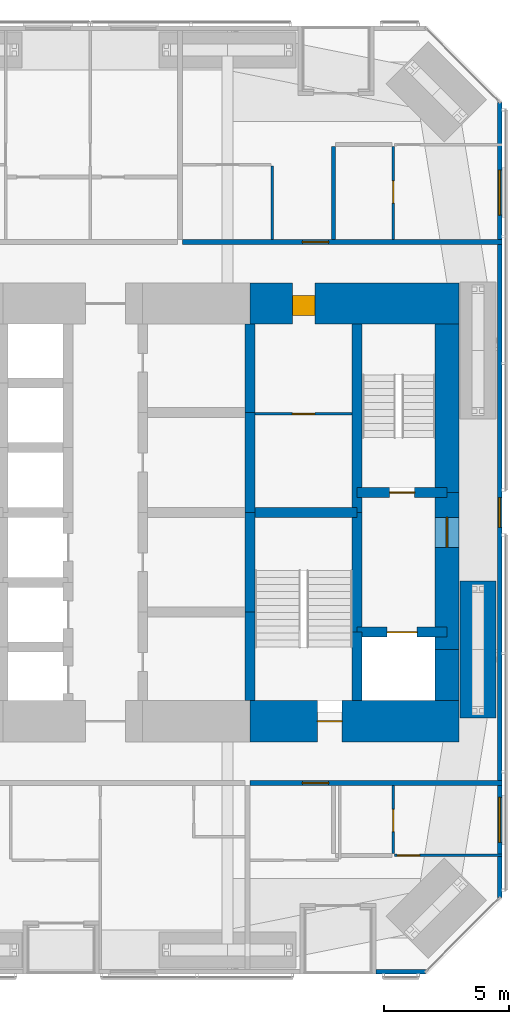
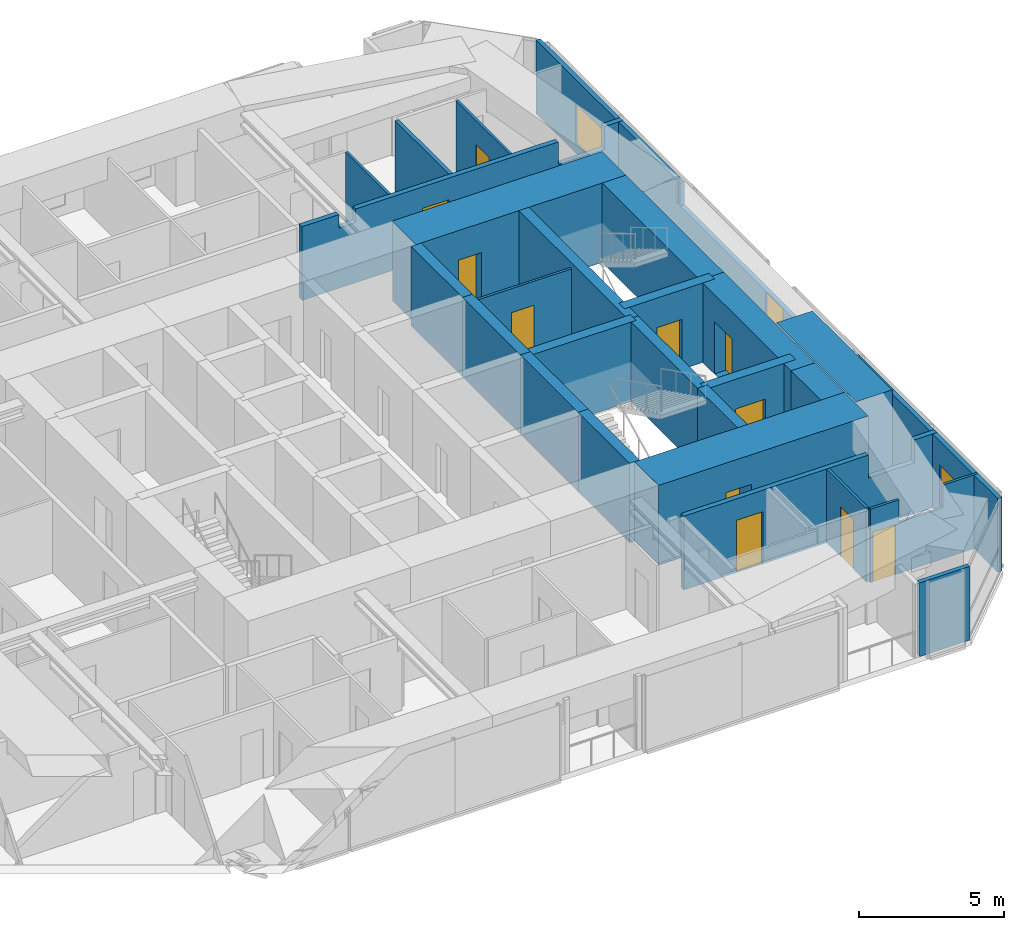
# One storey, part 21 of 24: 26 walls, 11 doors, 3 windows, 14 openings.
"""IFC4 building model written with IfcOpenShell, lengths in metres."""

from ifc_helpers import new_model, si_unit, direction, frame, frame_2d, origin, place, context, subcontext, project, spatial, polyline, rectangle, outline, extrude, material, layer, layer_set, constituent, constituent_set, type_object, element, fill, save


model = new_model("IFC4")

# Units and contexts
model_context = context("Model", 3, precision=1e-05, world=origin(), true_north=direction((0.0, 1.0)))
body_context = subcontext(model_context, "Body", "Model", "MODEL_VIEW")
ifc_project = project(units=[si_unit("LENGTHUNIT", "METRE"), si_unit("AREAUNIT", "SQUARE_METRE"), si_unit("VOLUMEUNIT", "CUBIC_METRE"), si_unit("PLANEANGLEUNIT", "RADIAN"), si_unit("MASSUNIT", "GRAM", prefix="KILO")], contexts=[model_context])

# Site, building, storey
site_placement = place(None, origin())
site = spatial("IfcSite", under=ifc_project, at=site_placement, CompositionType="ELEMENT")
building_placement = place(site_placement, origin())
building = spatial("IfcBuilding", under=site, at=building_placement, Name="Jalousie Tower", CompositionType="ELEMENT")
storey_placement = place(building_placement, frame((0.0, 0.0, 57.85009765625)))
storey = spatial("IfcBuildingStorey", under=building, at=storey_placement, Name="L15", CompositionType="ELEMENT", Elevation=57.85009765625)

# Wall
ifc_material_1 = material(Name="Concrete block ASTM C90", Category="concrete")
ifc_constituent_1 = constituent(ifc_material_1, Name="Body")
ifc_material_2 = material(Name="Render")
ifc_constituent_2 = constituent(ifc_material_2, Name="Finish")
ifc_constituent_set_1 = constituent_set(constituents=[ifc_constituent_1, ifc_constituent_2])
wall_type_1 = type_object("IfcWallType", Name="BATHROOM WALL 150", PredefinedType="PLUMBINGWALL", material=ifc_constituent_set_1)
wall_1_placement = place(storey_placement, frame((39.25, 33.17822265625, 0.0), z_axis=(0.0, 0.0, 1.0), x_axis=(0.0, -1.0, 0.0)))
element("IfcWall", 1, at=wall_1_placement, inside=storey, type_object=wall_type_1, Name="Bathroom Wall 150 L15", PredefinedType="PLUMBINGWALL", context=body_context, shape_type="SweptSolid", body=[
    extrude(rectangle(XDim=3.728271484375, YDim=0.14990234375, at=frame_2d((1.8642578125, 0.0))), origin(), (0.0, 0.0, 1.0), 3.10986328125),
])

# Wall, opening, door
ifc_material_3 = material(Name="Concrete f'c 120 MPa", Category="concrete")
ifc_layer_1 = layer(ifc_material_3, 1.64990234375)
ifc_layer_set_1 = layer_set([ifc_layer_1], Name="Concrete f'c 120 MPa")
wall_type_2 = type_object("IfcWallType", Name="CORE WALL 1650", PredefinedType="SHEAR", material=ifc_layer_set_1)
wall_2_placement = place(storey_placement, frame((35.89990234375, 10.125, 0.0), z_axis=(0.0, 0.0, 1.0), x_axis=(1.0, 0.0, 0.0)))
wall_2 = element("IfcWall", 2, at=wall_2_placement, inside=storey, type_object=wall_type_2, Name="Core wall SD L15", PredefinedType="SHEAR", context=body_context, shape_type="SweptSolid", body=[
    extrude(rectangle(XDim=8.375, YDim=1.64990234375, at=frame_2d((4.1875, 0.0))), origin(), (0.0, 0.0, 1.0), 3.349853515625),
])
opening_1_placement = place(wall_2_placement, frame((2.699951171875, 0.0, 0.0)))
opening_1 = element("IfcOpeningElement", 3, at=opening_1_placement, cuts=wall_2, Name="Opening D10", PredefinedType="OPENING", context=body_context, shape_type="SweptSolid", body=[
    extrude(rectangle(XDim=1.0, YDim=2.10009765625, at=frame_2d((0.5, 1.050048828125))), frame((0.0, 0.8349609375, 0.0), z_axis=(0.0, -1.0, 0.0), x_axis=(1.0, 0.0, 0.0)), (0.0, 0.0, 1.0), 1.669921875),
])
ifc_material_4 = material(Name="Steel fire door", Category="steel")
door_type_1 = type_object("IfcDoorType", Name="STAIR DOOR 1000", OperationType="SINGLE_SWING_LEFT", PredefinedType="DOOR", material=ifc_material_4)
door_1_placement = place(opening_1_placement, origin())
door_1 = element("IfcDoor", 4, at=door_1_placement, inside=storey, type_object=door_type_1, Name="Exit stair C door", OperationType="SINGLE_SWING_RIGHT", OverallHeight=2.10009765625, OverallWidth=1.0, PredefinedType="DOOR", context=body_context, shape_type="SweptSolid", body=[
    extrude(rectangle(XDim=1.0, YDim=2.10009765625, at=frame_2d((0.5, 1.050048828125))), frame((0.0, 0.02490234375, 0.0), z_axis=(0.0, -1.0, 0.0), x_axis=(1.0, 0.0, 0.0)), (0.0, 0.0, 1.0), 0.050048828125),
])
fill(opening_1, door_1)

wall_3_placement = place(storey_placement, frame((44.27490234375, 26.875, 0.0), z_axis=(0.0, 0.0, 1.0), x_axis=(-1.0, 0.0, 0.0)))
wall_3 = element("IfcWall", 5, at=wall_3_placement, inside=storey, type_object=wall_type_2, Name="Core wall NA L15", PredefinedType="SHEAR", context=body_context, shape_type="SweptSolid", body=[
    extrude(rectangle(XDim=8.375, YDim=1.64990234375, at=frame_2d((4.1875, 0.0))), origin(), (0.0, 0.0, 1.0), 3.349853515625),
])
opening_2_placement = place(wall_3_placement, frame((5.77490234375, 0.0, 0.0)))
opening_2 = element("IfcOpeningElement", 6, at=opening_2_placement, cuts=wall_3, Name="Opening D26", PredefinedType="OPENING", context=body_context, shape_type="SweptSolid", body=[
    extrude(rectangle(XDim=0.89990234375, YDim=2.10009765625, at=frame_2d((0.449951171875, 1.050048828125))), frame((0.0, 0.8349609375, 0.0), z_axis=(0.0, -1.0, 0.0), x_axis=(1.0, 0.0, 0.0)), (0.0, 0.0, 1.0), 1.669921875),
])
ifc_material_5 = material(Name="Steel fire door", Category="steel")
door_type_2 = type_object("IfcDoorType", Name="HOUSEKEEPING STORE DOOR 900", OperationType="SINGLE_SWING_LEFT", PredefinedType="DOOR", material=ifc_material_5)
door_2_placement = place(opening_2_placement, origin())
door_2 = element("IfcDoor", 7, at=door_2_placement, inside=storey, type_object=door_type_2, Name="Housekeeping store door", OperationType="SINGLE_SWING_RIGHT", OverallHeight=2.10009765625, OverallWidth=0.89990234375, PredefinedType="DOOR", context=body_context, shape_type="SweptSolid", body=[
    extrude(rectangle(XDim=0.89990234375, YDim=2.10009765625, at=frame_2d((0.449951171875, 1.050048828125))), frame((0.0, 0.47021484375, 0.0), z_axis=(0.0, -1.0, 0.0), x_axis=(1.0, 0.0, 0.0)), (0.0, 0.0, 1.0), 0.800048828125),
])
fill(opening_2, door_2)

# Walls
ifc_material_6 = material(Name="Concrete f'c 120 MPa", Category="concrete")
ifc_layer_2 = layer(ifc_material_6, 0.39990234375)
ifc_layer_set_2 = layer_set([ifc_layer_2], Name="Concrete f'c 120 MPa")
wall_type_3 = type_object("IfcWallType", Name="CORE WALL 400", PredefinedType="SHEAR", material=ifc_layer_set_2)
wall_4_placement = place(storey_placement, frame((35.89990234375, 10.949951171875, 0.0), z_axis=(0.0, 0.0, 1.0), x_axis=(0.0, 1.0, 0.0)))
element("IfcWall", 8, at=wall_4_placement, inside=storey, type_object=wall_type_3, Name="Core wall X35.9A L15", PredefinedType="SHEAR", context=body_context, shape_type="SweptSolid", body=[
    extrude(rectangle(XDim=3.550048828125, YDim=0.39990234375, at=frame_2d((1.77490234375, 0.0))), origin(), (0.0, 0.0, 1.0), 3.349853515625),
])
for number, where, z_axis, x_axis, name in (
    (9, (35.89990234375, 14.5, 0.0), (0.0, 0.0, 1.0), (0.0, 1.0, 0.0), "Core wall X35.9B L15"),
    (10, (35.89990234375, 18.5, 0.0), (0.0, 0.0, 1.0), (0.0, 1.0, 0.0), "Core wall X35.9C L15"),
):
    element("IfcWall", number, at=place(storey_placement, frame(where, z_axis=z_axis, x_axis=x_axis)), inside=storey, type_object=wall_type_3, Name=name, PredefinedType="SHEAR", context=body_context, shape_type="SweptSolid", body=[
        extrude(rectangle(XDim=4.0, YDim=0.39990234375, at=frame_2d((2.0, 0.0))), origin(), (0.0, 0.0, 1.0), 3.349853515625),
    ])
wall_5_placement = place(storey_placement, frame((35.89990234375, 22.5, 0.0), z_axis=(0.0, 0.0, 1.0), x_axis=(0.0, 1.0, 0.0)))
element("IfcWall", 11, at=wall_5_placement, inside=storey, type_object=wall_type_3, Name="Core wall X35.9D L15", PredefinedType="SHEAR", context=body_context, shape_type="SweptSolid", body=[
    extrude(rectangle(XDim=3.550048828125, YDim=0.39990234375, at=frame_2d((1.77490234375, 0.0))), origin(), (0.0, 0.0, 1.0), 3.349853515625),
])
wall_6_placement = place(storey_placement, frame((40.199951171875, 10.949951171875, 0.0), z_axis=(0.0, 0.0, 1.0), x_axis=(0.0, 1.0, 0.0)))
element("IfcWall", 12, at=wall_6_placement, inside=storey, type_object=wall_type_3, Name="Core wall X40.2A L15", PredefinedType="SHEAR", context=body_context, shape_type="SweptSolid", body=[
    extrude(rectangle(XDim=2.75, YDim=0.39990234375, at=frame_2d((1.375, 0.0))), origin(), (0.0, 0.0, 1.0), 3.349853515625),
])
wall_7_placement = place(storey_placement, frame((40.199951171875, 13.699951171875, 0.0), z_axis=(0.0, 0.0, 1.0), x_axis=(0.0, 1.0, 0.0)))
element("IfcWall", 13, at=wall_7_placement, inside=storey, type_object=wall_type_3, Name="Core wall X40.2B L15", PredefinedType="SHEAR", context=body_context, shape_type="SweptSolid", body=[
    extrude(rectangle(XDim=4.800048828125, YDim=0.39990234375, at=frame_2d((2.39990234375, 0.0))), origin(), (0.0, 0.0, 1.0), 3.349853515625),
])
wall_8_placement = place(storey_placement, frame((40.199951171875, 18.5, 0.0), z_axis=(0.0, 0.0, 1.0), x_axis=(0.0, 1.0, 0.0)))
element("IfcWall", 14, at=wall_8_placement, inside=storey, type_object=wall_type_3, Name="Core wall X40.2C L15", PredefinedType="SHEAR", context=body_context, shape_type="SweptSolid", body=[
    extrude(rectangle(XDim=7.550048828125, YDim=0.39990234375, at=frame_2d((3.77490234375, 0.0))), origin(), (0.0, 0.0, 1.0), 3.349853515625),
])
wall_9_placement = place(storey_placement, frame((35.89990234375, 18.5, 0.0), z_axis=(0.0, 0.0, 1.0), x_axis=(1.0, 0.0, 0.0)))
element("IfcWall", 15, at=wall_9_placement, inside=storey, type_object=wall_type_3, Name="Core wall Y35.9-18.5 L15", PredefinedType="SHEAR", context=body_context, shape_type="SweptSolid", body=[
    extrude(rectangle(XDim=4.300048828125, YDim=0.39990234375, at=frame_2d((2.14990234375, 0.0))), origin(), (0.0, 0.0, 1.0), 3.349853515625),
])

# Wall, opening, door
wall_10_placement = place(storey_placement, frame((40.199951171875, 13.699951171875, 0.0), z_axis=(0.0, 0.0, 1.0), x_axis=(1.0, 0.0, 0.0)))
wall_10 = element("IfcWall", 16, at=wall_10_placement, inside=storey, type_object=wall_type_3, Name="Core wall Y40.2-13.7 L15", PredefinedType="SHEAR", context=body_context, shape_type="SweptSolid", body=[
    extrude(rectangle(XDim=3.60009765625, YDim=0.39990234375, at=frame_2d((1.800048828125, 0.0))), origin(), (0.0, 0.0, 1.0), 3.349853515625),
])
opening_3_placement = place(wall_10_placement, frame((1.199951171875, 0.0, 0.0)))
opening_3 = element("IfcOpeningElement", 17, at=opening_3_placement, cuts=wall_10, Name="Opening LD2", PredefinedType="OPENING", context=body_context, shape_type="SweptSolid", body=[
    extrude(rectangle(XDim=1.199951171875, YDim=2.10009765625, at=frame_2d((0.60009765625, 1.050048828125))), frame((0.0, 0.2099609375, 0.0), z_axis=(0.0, -1.0, 0.0), x_axis=(1.0, 0.0, 0.0)), (0.0, 0.0, 1.0), 0.419921875),
])
ifc_material_7 = material(Name="Steel lift landing door", Category="steel")
door_type_3 = type_object("IfcDoorType", Name="LIFT LANDING DOOR 1200", OperationType="SLIDING_TO_LEFT", PredefinedType="DOOR", material=ifc_material_7)
door_3_placement = place(opening_3_placement, origin())
door_3 = element("IfcDoor", 18, at=door_3_placement, inside=storey, type_object=door_type_3, Name="Lift F2 landing door", OperationType="SLIDING_TO_LEFT", OverallHeight=2.10009765625, OverallWidth=1.199951171875, PredefinedType="DOOR", context=body_context, shape_type="SweptSolid", body=[
    extrude(rectangle(XDim=1.199951171875, YDim=2.10009765625, at=frame_2d((0.60009765625, 1.050048828125))), frame((0.0, 0.02490234375, 0.0), z_axis=(0.0, -1.0, 0.0), x_axis=(1.0, 0.0, 0.0)), (0.0, 0.0, 1.0), 0.050048828125),
])
fill(opening_3, door_3)

wall_11_placement = place(storey_placement, frame((40.199951171875, 19.300048828125, 0.0), z_axis=(0.0, 0.0, 1.0), x_axis=(1.0, 0.0, 0.0)))
wall_11 = element("IfcWall", 19, at=wall_11_placement, inside=storey, type_object=wall_type_3, Name="Core wall Y40.2-19.3 L15", PredefinedType="SHEAR", context=body_context, shape_type="SweptSolid", body=[
    extrude(rectangle(XDim=3.60009765625, YDim=0.39990234375, at=frame_2d((1.800048828125, 0.0))), origin(), (0.0, 0.0, 1.0), 3.349853515625),
])
opening_4_placement = place(wall_11_placement, frame((1.300048828125, 0.0, 0.0)))
opening_4 = element("IfcOpeningElement", 20, at=opening_4_placement, cuts=wall_11, Name="Opening D10", PredefinedType="OPENING", context=body_context, shape_type="SweptSolid", body=[
    extrude(rectangle(XDim=1.0, YDim=2.10009765625, at=frame_2d((0.5, 1.050048828125))), frame((0.0, 0.2099609375, 0.0), z_axis=(0.0, -1.0, 0.0), x_axis=(1.0, 0.0, 0.0)), (0.0, 0.0, 1.0), 0.419921875),
])
door_4_placement = place(opening_4_placement, origin())
door_4 = element("IfcDoor", 21, at=door_4_placement, inside=storey, type_object=door_type_1, Name="Exit stair B door", OperationType="SINGLE_SWING_RIGHT", OverallHeight=2.10009765625, OverallWidth=1.0, PredefinedType="DOOR", context=body_context, shape_type="SweptSolid", body=[
    extrude(rectangle(XDim=1.0, YDim=2.10009765625, at=frame_2d((0.5, 1.050048828125))), frame((0.0, 0.02490234375, 0.0), z_axis=(0.0, -1.0, 0.0), x_axis=(1.0, 0.0, 0.0)), (0.0, 0.0, 1.0), 0.050048828125),
])
fill(opening_4, door_4)

# Wall
ifc_material_8 = material(Name="Concrete f'c 120 MPa", Category="concrete")
ifc_layer_3 = layer(ifc_material_8, 0.949951171875)
ifc_layer_set_3 = layer_set([ifc_layer_3], Name="Concrete f'c 120 MPa")
wall_type_4 = type_object("IfcWallType", Name="CORE WALL 950", PredefinedType="SHEAR", material=ifc_layer_set_3)
wall_12_placement = place(storey_placement, frame((43.800048828125, 10.949951171875, 0.0), z_axis=(0.0, 0.0, 1.0), x_axis=(0.0, 1.0, 0.0)))
element("IfcWall", 22, at=wall_12_placement, inside=storey, type_object=wall_type_4, Name="Core wall EA L15", PredefinedType="SHEAR", context=body_context, shape_type="SweptSolid", body=[
    extrude(rectangle(XDim=2.050048828125, YDim=0.949951171875, at=frame_2d((1.02490234375, 0.0))), origin(), (0.0, 0.0, 1.0), 3.349853515625),
])

# Wall, opening, door
wall_13_placement = place(storey_placement, frame((43.800048828125, 13.0, 0.0), z_axis=(0.0, 0.0, 1.0), x_axis=(0.0, 1.0, 0.0)))
wall_13 = element("IfcWall", 23, at=wall_13_placement, inside=storey, type_object=wall_type_4, Name="Core wall EB L15", PredefinedType="SHEAR", context=body_context, shape_type="SweptSolid", body=[
    extrude(rectangle(XDim=6.300048828125, YDim=0.949951171875, at=frame_2d((3.14990234375, 0.0))), origin(), (0.0, 0.0, 1.0), 3.349853515625),
])
opening_5_placement = place(wall_13_placement, frame((4.10009765625, 0.0, 0.0)))
opening_5 = element("IfcOpeningElement", 24, at=opening_5_placement, cuts=wall_13, Name="Opening D11", PredefinedType="OPENING", context=body_context, shape_type="SweptSolid", body=[
    extrude(rectangle(XDim=1.199951171875, YDim=2.199951171875, at=frame_2d((0.60009765625, 1.10009765625))), frame((0.0, 0.48486328125, 0.0), z_axis=(0.0, -1.0, 0.0), x_axis=(1.0, 0.0, 0.0)), (0.0, 0.0, 1.0), 0.969970703125),
])
ifc_material_9 = material(Name="Steel fire door", Category="steel")
door_type_4 = type_object("IfcDoorType", Name="FIRE DOOR 1200", OperationType="SINGLE_SWING_LEFT", PredefinedType="DOOR", material=ifc_material_9)
door_5_placement = place(opening_5_placement, origin())
door_5 = element("IfcDoor", 25, at=door_5_placement, inside=storey, type_object=door_type_4, Name="Fire-fighting lobby B door", OperationType="SINGLE_SWING_RIGHT", OverallHeight=2.199951171875, OverallWidth=1.199951171875, PredefinedType="DOOR", context=body_context, shape_type="SweptSolid", body=[
    extrude(rectangle(XDim=1.199951171875, YDim=2.199951171875, at=frame_2d((0.60009765625, 1.10009765625))), frame((0.0, 0.02490234375, 0.0), z_axis=(0.0, -1.0, 0.0), x_axis=(1.0, 0.0, 0.0)), (0.0, 0.0, 1.0), 0.050048828125),
])
fill(opening_5, door_5)

# Wall
wall_14_placement = place(storey_placement, frame((43.800048828125, 19.300048828125, 0.0), z_axis=(0.0, 0.0, 1.0), x_axis=(0.0, 1.0, 0.0)))
element("IfcWall", 26, at=wall_14_placement, inside=storey, type_object=wall_type_4, Name="Core wall EC L15", PredefinedType="SHEAR", context=body_context, shape_type="SweptSolid", body=[
    extrude(rectangle(XDim=6.75, YDim=0.949951171875, at=frame_2d((3.375, 0.0))), origin(), (0.0, 0.0, 1.0), 3.349853515625),
])

# Wall, opening, door
ifc_material_10 = material(Name="Concrete block ASTM C90", Category="concrete")
ifc_constituent_3 = constituent(ifc_material_10, Name="Body")
ifc_material_11 = material(Name="Render")
ifc_constituent_4 = constituent(ifc_material_11, Name="Finish")
ifc_constituent_set_2 = constituent_set(constituents=[ifc_constituent_3, ifc_constituent_4])
wall_type_5 = type_object("IfcWallType", Name="CORRIDOR WALL 200", PredefinedType="PARTITIONING", material=ifc_constituent_set_2)
wall_15_placement = place(storey_placement, frame((35.89990234375, 7.64990234375, 0.0), z_axis=(0.0, 0.0, 1.0), x_axis=(1.0, 0.0, 0.0)))
wall_15 = element("IfcWall", 27, at=wall_15_placement, inside=storey, type_object=wall_type_5, Name="Corridor Wall 200 L15", PredefinedType="PARTITIONING", context=body_context, shape_type="SweptSolid", body=[
    extrude(outline(polyline([(0.0, 0.0), (10.10009765625, 0.0), (10.10009765625, 3.10986328125), (9.204345703125, 3.10986328125), (9.204345703125, 2.14990234375), (7.360595703125, 2.14990234375), (7.360595703125, 3.10986328125), (0.0, 3.10986328125), (0.0, 0.0)])), frame((0.0, 0.10009765625, 0.0), z_axis=(0.0, -1.0, 0.0), x_axis=(1.0, 0.0, 0.0)), (0.0, 0.0, 1.0), 0.199951171875),
])
opening_6_placement = place(wall_15_placement, frame((2.10009765625, 0.0, 0.0)))
opening_6 = element("IfcOpeningElement", 28, at=opening_6_placement, cuts=wall_15, Name="Opening D1", PredefinedType="OPENING", context=body_context, shape_type="SweptSolid", body=[
    extrude(rectangle(XDim=1.050048828125, YDim=2.199951171875, at=frame_2d((0.52490234375, 1.10009765625))), frame((0.0, 0.10986328125, 0.0), z_axis=(0.0, -1.0, 0.0), x_axis=(1.0, 0.0, 0.0)), (0.0, 0.0, 1.0), 0.219970703125),
])
ifc_material_12 = material(Name="Timber fire door", Category="wood")
door_type_5 = type_object("IfcDoorType", Name="APARTMENT ENTRANCE DOOR 1050", OperationType="SINGLE_SWING_LEFT", PredefinedType="DOOR", material=ifc_material_12)
door_6_placement = place(opening_6_placement, frame((1.050048828125, 0.0, 0.0), z_axis=(0.0, 0.0, 1.0), x_axis=(-1.0, 0.0, 0.0)))
door_6 = element("IfcDoor", 29, at=door_6_placement, inside=storey, type_object=door_type_5, Name="Apartment 1502 entrance", OperationType="SINGLE_SWING_LEFT", OverallHeight=2.199951171875, OverallWidth=1.050048828125, PredefinedType="DOOR", context=body_context, shape_type="SweptSolid", body=[
    extrude(rectangle(XDim=1.050048828125, YDim=2.199951171875, at=frame_2d((0.52490234375, 1.10009765625))), frame((0.0, 0.02490234375, 0.0), z_axis=(0.0, -1.0, 0.0), x_axis=(1.0, 0.0, 0.0)), (0.0, 0.0, 1.0), 0.050048828125),
])
fill(opening_6, door_6)

wall_16_placement = place(storey_placement, frame((33.199951171875, 29.35009765625, 0.0), z_axis=(0.0, 0.0, 1.0), x_axis=(1.0, 0.0, 0.0)))
wall_16 = element("IfcWall", 30, at=wall_16_placement, inside=storey, type_object=wall_type_5, Name="Corridor Wall 200 L15", PredefinedType="PARTITIONING", context=body_context, shape_type="SweptSolid", body=[
    extrude(outline(polyline([(0.0, 0.0), (12.800048828125, 0.0), (12.800048828125, 3.10986328125), (12.06640625, 3.10986328125), (12.06640625, 2.14990234375), (10.22265625, 2.14990234375), (10.22265625, 3.10986328125), (2.13720703125, 3.10986328125), (2.13720703125, 2.541015625), (1.462646484375, 2.541015625), (1.462646484375, 3.10986328125), (0.0, 3.10986328125), (0.0, 0.0)])), frame((0.0, 0.10009765625, 0.0), z_axis=(0.0, -1.0, 0.0), x_axis=(1.0, 0.0, 0.0)), (0.0, 0.0, 1.0), 0.199951171875),
])
opening_7_placement = place(wall_16_placement, frame((4.800048828125, 0.0, 0.0)))
opening_7 = element("IfcOpeningElement", 31, at=opening_7_placement, cuts=wall_16, Name="Opening D1", PredefinedType="OPENING", context=body_context, shape_type="SweptSolid", body=[
    extrude(rectangle(XDim=1.050048828125, YDim=2.199951171875, at=frame_2d((0.52490234375, 1.10009765625))), frame((0.0, 0.10986328125, 0.0), z_axis=(0.0, -1.0, 0.0), x_axis=(1.0, 0.0, 0.0)), (0.0, 0.0, 1.0), 0.219970703125),
])
door_7_placement = place(opening_7_placement, origin())
door_7 = element("IfcDoor", 32, at=door_7_placement, inside=storey, type_object=door_type_5, Name="Apartment 1504 entrance", OperationType="SINGLE_SWING_RIGHT", OverallHeight=2.199951171875, OverallWidth=1.050048828125, PredefinedType="DOOR", context=body_context, shape_type="SweptSolid", body=[
    extrude(rectangle(XDim=1.050048828125, YDim=2.199951171875, at=frame_2d((0.52490234375, 1.10009765625))), frame((0.0, 0.02490234375, 0.0), z_axis=(0.0, -1.0, 0.0), x_axis=(1.0, 0.0, 0.0)), (0.0, 0.0, 1.0), 0.050048828125),
])
fill(opening_7, door_7)

# Wall
ifc_material_13 = material(Name="Concrete f'c 40 MPa", Category="concrete")
ifc_constituent_5 = constituent(ifc_material_13, Name="Body")
ifc_material_14 = material(Name="Render, pastel coral")
ifc_constituent_6 = constituent(ifc_material_14, Name="Finish")
ifc_constituent_set_3 = constituent_set(constituents=[ifc_constituent_5, ifc_constituent_6])
wall_type_6 = type_object("IfcWallType", Name="EXTERNAL WALL 175 CORAL RENDER", PredefinedType="SOLIDWALL", material=ifc_constituent_set_3)
wall_17_placement = place(storey_placement, frame((40.949951171875, 0.08740234375, 0.0), z_axis=(0.0, 0.0, 1.0), x_axis=(1.0, 0.0, 0.0)))
element("IfcWall", 33, at=wall_17_placement, inside=storey, type_object=wall_type_6, Name="External Wall 175 Coral Render L15", PredefinedType="SOLIDWALL", context=body_context, shape_type="SweptSolid", body=[
    extrude(rectangle(XDim=1.998779296875, YDim=0.175048828125, at=frame_2d((0.99951171875, 0.0))), origin(), (0.0, 0.0, 1.0), 3.10986328125),
])

# Wall, openings, windows
wall_18_placement = place(storey_placement, frame((45.91259765625, 3.05126953125, 0.0), z_axis=(0.0, 0.0, 1.0), x_axis=(0.0, 1.0, 0.0)))
wall_18 = element("IfcWall", 34, at=wall_18_placement, inside=storey, type_object=wall_type_6, Name="External Wall 175 Coral Render L15", PredefinedType="SOLIDWALL", context=body_context, shape_type="SweptSolid", body=[
    extrude(outline(polyline([(0.0, 0.0), (31.8974609375, 0.0), (31.8974609375, 3.10986328125), (22.167236328125, 3.10986328125), (22.167236328125, 2.14990234375), (22.074462890625, 2.14990234375), (22.074462890625, 3.10986328125), (21.94873046875, 3.10986328125), (21.94873046875, 2.14990234375), (9.94873046875, 2.14990234375), (9.94873046875, 3.10986328125), (9.822998046875, 3.10986328125), (9.822998046875, 2.14990234375), (9.72998046875, 2.14990234375), (9.72998046875, 3.10986328125), (0.0, 3.10986328125), (0.0, 0.0)])), frame((0.0, 0.08740234375, 0.0), z_axis=(0.0, -1.0, 0.0), x_axis=(1.0, 0.0, 0.0)), (0.0, 0.0, 1.0), 0.175048828125),
])
opening_8_placement = place(wall_18_placement, frame((2.22216796875, 0.0, 0.39990234375)))
opening_8 = element("IfcOpeningElement", 35, at=opening_8_placement, cuts=wall_18, Name="Opening W-BED170", PredefinedType="OPENING", context=body_context, shape_type="SweptSolid", body=[
    extrude(rectangle(XDim=1.800048828125, YDim=1.699951171875, at=frame_2d((0.89990234375, 0.85009765625))), frame((0.0, 0.097412109375, 0.0), z_axis=(0.0, -1.0, 0.0), x_axis=(1.0, 0.0, 0.0)), (0.0, 0.0, 1.0), 0.195068359375),
])
opening_9_placement = place(wall_18_placement, frame((14.8486328125, 0.0, 0.39990234375)))
opening_9 = element("IfcOpeningElement", 36, at=opening_9_placement, cuts=wall_18, Name="Opening W-COR170", PredefinedType="OPENING", context=body_context, shape_type="SweptSolid", body=[
    extrude(rectangle(XDim=1.199951171875, YDim=1.699951171875, at=frame_2d((0.60009765625, 0.85009765625))), frame((0.0, 0.097412109375, 0.0), z_axis=(0.0, -1.0, 0.0), x_axis=(1.0, 0.0, 0.0)), (0.0, 0.0, 1.0), 0.195068359375),
])
opening_10_placement = place(wall_18_placement, frame((27.37548828125, 0.0, 0.39990234375)))
opening_10 = element("IfcOpeningElement", 37, at=opening_10_placement, cuts=wall_18, Name="Opening W-BED170", PredefinedType="OPENING", context=body_context, shape_type="SweptSolid", body=[
    extrude(rectangle(XDim=1.800048828125, YDim=1.699951171875, at=frame_2d((0.89990234375, 0.85009765625))), frame((0.0, 0.097412109375, 0.0), z_axis=(0.0, -1.0, 0.0), x_axis=(1.0, 0.0, 0.0)), (0.0, 0.0, 1.0), 0.195068359375),
])
ifc_material_15 = material(Name="Aluminium frame, impact-rated glazing", Category="aluminium")
window_type_1 = type_object("IfcWindowType", Name="WINDOW BED 1800x1700", PartitioningType="SINGLE_PANEL", PredefinedType="WINDOW", material=ifc_material_15)
window_1_placement = place(opening_8_placement, origin())
window_1 = element("IfcWindow", 38, at=window_1_placement, inside=storey, type_object=window_type_1, Name="Apartment 1502 bedroom 1 window", OverallHeight=1.699951171875, OverallWidth=1.800048828125, PartitioningType="SINGLE_PANEL", PredefinedType="WINDOW", context=body_context, shape_type="SweptSolid", body=[
    extrude(rectangle(XDim=1.800048828125, YDim=1.699951171875, at=frame_2d((0.89990234375, 0.85009765625))), frame((0.0, 0.030029296875, 0.0), z_axis=(0.0, -1.0, 0.0), x_axis=(1.0, 0.0, 0.0)), (0.0, 0.0, 1.0), 0.06005859375),
])
fill(opening_8, window_1)
window_2_placement = place(opening_10_placement, origin())
window_2 = element("IfcWindow", 39, at=window_2_placement, inside=storey, type_object=window_type_1, Name="Apartment 1504 bedroom 1 window", OverallHeight=1.699951171875, OverallWidth=1.800048828125, PartitioningType="SINGLE_PANEL", PredefinedType="WINDOW", context=body_context, shape_type="SweptSolid", body=[
    extrude(rectangle(XDim=1.800048828125, YDim=1.699951171875, at=frame_2d((0.89990234375, 0.85009765625))), frame((0.0, 0.030029296875, 0.0), z_axis=(0.0, -1.0, 0.0), x_axis=(1.0, 0.0, 0.0)), (0.0, 0.0, 1.0), 0.06005859375),
])
fill(opening_10, window_2)
ifc_material_16 = material(Name="Aluminium frame, impact-rated glazing", Category="aluminium")
window_type_2 = type_object("IfcWindowType", Name="WINDOW COR 1200x1700", PartitioningType="SINGLE_PANEL", PredefinedType="WINDOW", material=ifc_material_16)
window_3_placement = place(opening_9_placement, origin())
window_3 = element("IfcWindow", 40, at=window_3_placement, inside=storey, type_object=window_type_2, Name="Corridor window", OverallHeight=1.699951171875, OverallWidth=1.199951171875, PartitioningType="SINGLE_PANEL", PredefinedType="WINDOW", context=body_context, shape_type="SweptSolid", body=[
    extrude(rectangle(XDim=1.199951171875, YDim=1.699951171875, at=frame_2d((0.60009765625, 0.85009765625))), frame((0.0, 0.030029296875, 0.0), z_axis=(0.0, -1.0, 0.0), x_axis=(1.0, 0.0, 0.0)), (0.0, 0.0, 1.0), 0.06005859375),
])
fill(opening_9, window_3)

# Wall, opening, door
ifc_material_17 = material(Name="Gypsum board", Category="gypsum")
ifc_constituent_7 = constituent(ifc_material_17, Name="Body")
ifc_material_18 = material(Name="Light-gauge steel studs ASTM A653 SS Grade 33", Category="steel")
ifc_constituent_8 = constituent(ifc_material_18, Name="Framing")
ifc_constituent_set_4 = constituent_set(constituents=[ifc_constituent_7, ifc_constituent_8])
wall_type_7 = type_object("IfcWallType", Name="PARTITION 100", PredefinedType="PARTITIONING", material=ifc_constituent_set_4)
wall_19_placement = place(storey_placement, frame((41.64990234375, 4.82177734375, 0.0), z_axis=(0.0, 0.0, 1.0), x_axis=(0.0, 1.0, 0.0)))
wall_19 = element("IfcWall", 41, at=wall_19_placement, inside=storey, type_object=wall_type_7, Name="Partition 100 L15", PredefinedType="PARTITIONING", context=body_context, shape_type="SweptSolid", body=[
    extrude(rectangle(XDim=2.728271484375, YDim=0.10009765625, at=frame_2d((1.3642578125, 0.0))), origin(), (0.0, 0.0, 1.0), 3.10986328125),
])
opening_11_placement = place(wall_19_placement, frame((0.876708984375, 0.0, 0.0)))
opening_11 = element("IfcOpeningElement", 42, at=opening_11_placement, cuts=wall_19, Name="Opening D3", PredefinedType="OPENING", context=body_context, shape_type="SweptSolid", body=[
    extrude(rectangle(XDim=0.89990234375, YDim=2.10009765625, at=frame_2d((0.449951171875, 1.050048828125))), frame((0.0, 0.06005859375, 0.0), z_axis=(0.0, -1.0, 0.0), x_axis=(1.0, 0.0, 0.0)), (0.0, 0.0, 1.0), 0.1201171875),
])
ifc_material_19 = material(Name="Timber door", Category="wood")
door_type_6 = type_object("IfcDoorType", Name="BATHROOM DOOR 900", OperationType="SINGLE_SWING_LEFT", PredefinedType="DOOR", material=ifc_material_19)
door_8_placement = place(opening_11_placement, origin())
door_8 = element("IfcDoor", 43, at=door_8_placement, inside=storey, type_object=door_type_6, Name="Apartment 1502 bedroom 1 bathroom door", OperationType="SINGLE_SWING_LEFT", OverallHeight=2.10009765625, OverallWidth=0.89990234375, PredefinedType="DOOR", context=body_context, shape_type="SweptSolid", body=[
    extrude(rectangle(XDim=0.89990234375, YDim=2.10009765625, at=frame_2d((0.449951171875, 1.050048828125))), frame((0.0, 0.02490234375, 0.0), z_axis=(0.0, -1.0, 0.0), x_axis=(1.0, 0.0, 0.0)), (0.0, 0.0, 1.0), 0.050048828125),
])
fill(opening_11, door_8)

wall_20_placement = place(storey_placement, frame((41.699951171875, 4.74658203125, 0.0), z_axis=(0.0, 0.0, 1.0), x_axis=(1.0, 0.0, 0.0)))
wall_20 = element("IfcWall", 44, at=wall_20_placement, inside=storey, type_object=wall_type_7, Name="Partition 100 L15", PredefinedType="PARTITIONING", context=body_context, shape_type="SweptSolid", body=[
    extrude(outline(polyline([(0.0, 0.0), (4.300048828125, 0.0), (4.300048828125, 3.10986328125), (2.8828125, 3.10986328125), (2.8828125, 2.14990234375), (1.140380859375, 2.14990234375), (1.140380859375, 3.10986328125), (0.0, 3.10986328125), (0.0, 0.0)])), frame((0.0, 0.050048828125, 0.0), z_axis=(0.0, -1.0, 0.0), x_axis=(1.0, 0.0, 0.0)), (0.0, 0.0, 1.0), 0.10009765625),
])
opening_12_placement = place(wall_20_placement, frame((0.10009765625, 0.0, 0.0)))
opening_12 = element("IfcOpeningElement", 45, at=opening_12_placement, cuts=wall_20, Name="Opening D2", PredefinedType="OPENING", context=body_context, shape_type="SweptSolid", body=[
    extrude(rectangle(XDim=0.89990234375, YDim=2.10009765625, at=frame_2d((0.449951171875, 1.050048828125))), frame((0.0, 0.06005859375, 0.0), z_axis=(0.0, -1.0, 0.0), x_axis=(1.0, 0.0, 0.0)), (0.0, 0.0, 1.0), 0.1201171875),
])
ifc_material_20 = material(Name="Timber door", Category="wood")
door_type_7 = type_object("IfcDoorType", Name="BEDROOM DOOR 900", OperationType="SINGLE_SWING_LEFT", PredefinedType="DOOR", material=ifc_material_20)
door_9_placement = place(opening_12_placement, origin())
door_9 = element("IfcDoor", 46, at=door_9_placement, inside=storey, type_object=door_type_7, Name="Apartment 1502 bedroom 1 door", OperationType="SINGLE_SWING_LEFT", OverallHeight=2.10009765625, OverallWidth=0.89990234375, PredefinedType="DOOR", context=body_context, shape_type="SweptSolid", body=[
    extrude(rectangle(XDim=0.89990234375, YDim=2.10009765625, at=frame_2d((0.449951171875, 1.050048828125))), frame((0.0, 0.02490234375, 0.0), z_axis=(0.0, -1.0, 0.0), x_axis=(1.0, 0.0, 0.0)), (0.0, 0.0, 1.0), 0.050048828125),
])
fill(opening_12, door_9)

wall_21_placement = place(storey_placement, frame((41.64990234375, 33.17822265625, 0.0), z_axis=(0.0, 0.0, 1.0), x_axis=(0.0, -1.0, 0.0)))
wall_21 = element("IfcWall", 47, at=wall_21_placement, inside=storey, type_object=wall_type_7, Name="Partition 100 L15", PredefinedType="PARTITIONING", context=body_context, shape_type="SweptSolid", body=[
    extrude(rectangle(XDim=3.728271484375, YDim=0.10009765625, at=frame_2d((1.8642578125, 0.0))), origin(), (0.0, 0.0, 1.0), 3.10986328125),
])
opening_13_placement = place(wall_21_placement, frame((1.376708984375, 0.0, 0.0)))
opening_13 = element("IfcOpeningElement", 48, at=opening_13_placement, cuts=wall_21, Name="Opening D3", PredefinedType="OPENING", context=body_context, shape_type="SweptSolid", body=[
    extrude(rectangle(XDim=0.89990234375, YDim=2.10009765625, at=frame_2d((0.449951171875, 1.050048828125))), frame((0.0, 0.06005859375, 0.0), z_axis=(0.0, -1.0, 0.0), x_axis=(1.0, 0.0, 0.0)), (0.0, 0.0, 1.0), 0.1201171875),
])
door_10_placement = place(opening_13_placement, frame((0.89990234375, 0.0, 0.0), z_axis=(0.0, 0.0, 1.0), x_axis=(-1.0, 0.0, 0.0)))
door_10 = element("IfcDoor", 49, at=door_10_placement, inside=storey, type_object=door_type_6, Name="Apartment 1504 bedroom 1 bathroom door", OperationType="SINGLE_SWING_RIGHT", OverallHeight=2.10009765625, OverallWidth=0.89990234375, PredefinedType="DOOR", context=body_context, shape_type="SweptSolid", body=[
    extrude(rectangle(XDim=0.89990234375, YDim=2.10009765625, at=frame_2d((0.449951171875, 1.050048828125))), frame((0.0, 0.02490234375, 0.0), z_axis=(0.0, -1.0, 0.0), x_axis=(1.0, 0.0, 0.0)), (0.0, 0.0, 1.0), 0.050048828125),
])
fill(opening_13, door_10)

# Wall
wall_22_placement = place(storey_placement, frame((36.800048828125, 32.39990234375, 0.0), z_axis=(0.0, 0.0, 1.0), x_axis=(0.0, -1.0, 0.0)))
element("IfcWall", 50, at=wall_22_placement, inside=storey, type_object=wall_type_7, Name="Partition 100 L15", PredefinedType="PARTITIONING", context=body_context, shape_type="SweptSolid", body=[
    extrude(rectangle(XDim=2.949951171875, YDim=0.10009765625, at=frame_2d((1.47509765625, 0.0))), origin(), (0.0, 0.0, 1.0), 3.10986328125),
])

# Wall, opening, door
wall_23_placement = place(storey_placement, frame((36.10009765625, 22.449951171875, 0.0), z_axis=(0.0, 0.0, 1.0), x_axis=(1.0, 0.0, 0.0)))
wall_23 = element("IfcWall", 51, at=wall_23_placement, inside=storey, type_object=wall_type_7, Name="Partition 100 L15", PredefinedType="PARTITIONING", context=body_context, shape_type="SweptSolid", body=[
    extrude(rectangle(XDim=3.89990234375, YDim=0.10009765625, at=frame_2d((1.949951171875, 0.0))), origin(), (0.0, 0.0, 1.0), 3.10986328125),
])
opening_14_placement = place(wall_23_placement, frame((1.5, 0.0, 0.0)))
opening_14 = element("IfcOpeningElement", 52, at=opening_14_placement, cuts=wall_23, Name="Opening D7", PredefinedType="OPENING", context=body_context, shape_type="SweptSolid", body=[
    extrude(rectangle(XDim=0.89990234375, YDim=2.10009765625, at=frame_2d((0.449951171875, 1.050048828125))), frame((0.0, 0.06005859375, 0.0), z_axis=(0.0, -1.0, 0.0), x_axis=(1.0, 0.0, 0.0)), (0.0, 0.0, 1.0), 0.1201171875),
])
ifc_material_21 = material(Name="Timber door", Category="wood")
door_type_8 = type_object("IfcDoorType", Name="INTERNAL DOOR 900", OperationType="SINGLE_SWING_LEFT", PredefinedType="DOOR", material=ifc_material_21)
door_11_placement = place(opening_14_placement, origin())
door_11 = element("IfcDoor", 53, at=door_11_placement, inside=storey, type_object=door_type_8, Name="Linen store door", OperationType="SINGLE_SWING_RIGHT", OverallHeight=2.10009765625, OverallWidth=0.89990234375, PredefinedType="DOOR", context=body_context, shape_type="SweptSolid", body=[
    extrude(rectangle(XDim=0.89990234375, YDim=2.10009765625, at=frame_2d((0.449951171875, 1.050048828125))), frame((0.0, 0.02490234375, 0.0), z_axis=(0.0, -1.0, 0.0), x_axis=(1.0, 0.0, 0.0)), (0.0, 0.0, 1.0), 0.050048828125),
])
fill(opening_14, door_11)

# Wall
ifc_material_22 = material(Name="Concrete f'c 120 MPa", Category="concrete")
ifc_layer_4 = layer(ifc_material_22, 1.449951171875)
ifc_layer_set_4 = layer_set([ifc_layer_4], Name="Concrete f'c 120 MPa")
wall_type_8 = type_object("IfcWallType", Name="RC WALL PIER 1450", PredefinedType="SHEAR", material=ifc_layer_set_4)
wall_24_placement = place(storey_placement, frame((45.050048828125, 10.25, 0.0), z_axis=(0.0, 0.0, 1.0), x_axis=(0.0, 1.0, 0.0)))
element("IfcWall", 54, at=wall_24_placement, inside=storey, type_object=wall_type_8, Name="Wall pier 06 L15", PredefinedType="SHEAR", context=body_context, shape_type="SweptSolid", body=[
    extrude(rectangle(XDim=5.5, YDim=1.449951171875, at=frame_2d((2.75, 0.0))), origin(), (0.0, 0.0, 1.0), 3.349853515625),
])

save(model, "model.ifc")
